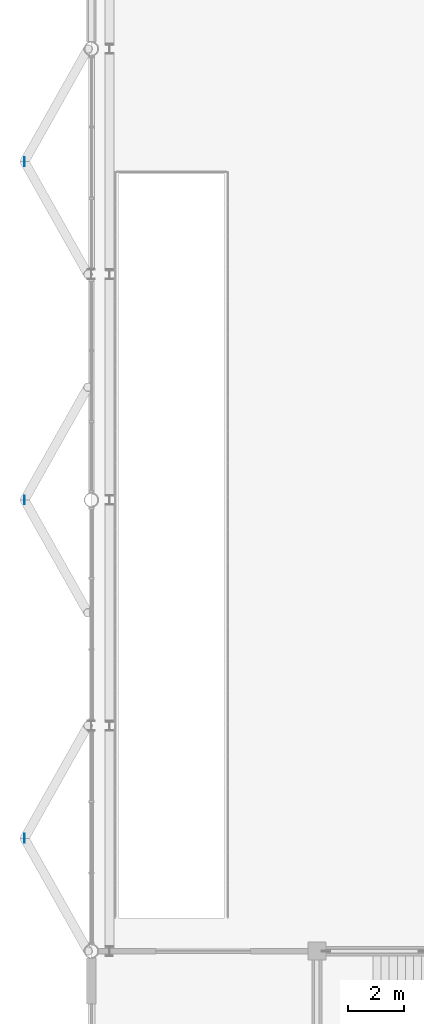
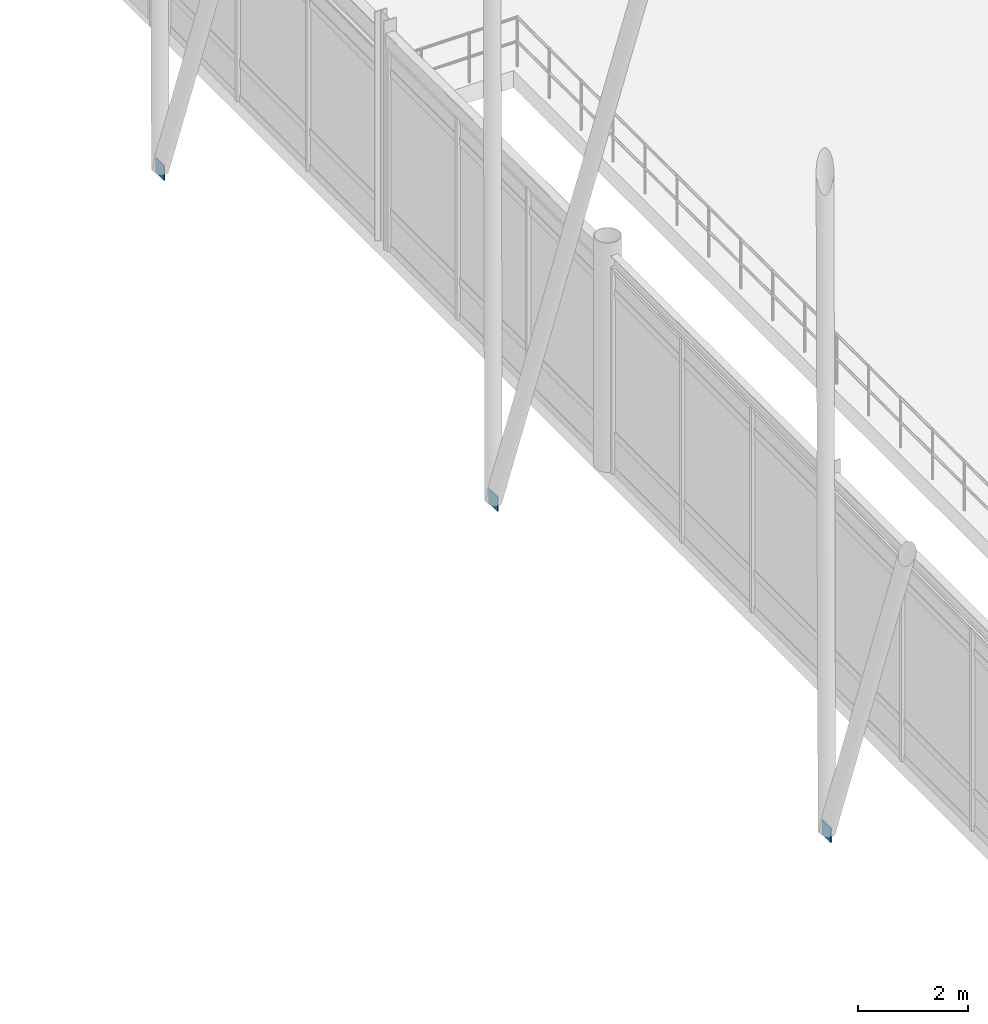
# One storey, part 79 of 99: 3 discrete accessories.
"""IFC4 building model written with IfcOpenShell, lengths in metres."""

from ifc_helpers import new_model, si_unit, direction, frame, origin, origin_2d, place, context, subcontext, project, spatial, rectangle, extrude, material, type_object, element, save


model = new_model("IFC4")

# Units and contexts
model_context = context("Model", 3, precision=1e-05, world=origin(), true_north=direction((0.0, 1.0)))
body_context = subcontext(model_context, "Body", "Model", "MODEL_VIEW")
ifc_project = project(units=[si_unit("LENGTHUNIT", "METRE"), si_unit("AREAUNIT", "SQUARE_METRE"), si_unit("VOLUMEUNIT", "CUBIC_METRE"), si_unit("PLANEANGLEUNIT", "RADIAN"), si_unit("MASSUNIT", "GRAM", prefix="KILO")], contexts=[model_context])

# Site, building, storey
site_placement = place(None, origin())
site = spatial("IfcSite", under=ifc_project, at=site_placement, CompositionType="ELEMENT")
building_placement = place(site_placement, origin())
building = spatial("IfcBuilding", under=site, at=building_placement, Name="Vaudrelin Polytechnic", CompositionType="ELEMENT")
storey_placement = place(building_placement, origin())
storey = spatial("IfcBuildingStorey", under=building, at=storey_placement, Name="L00", CompositionType="ELEMENT", Elevation=0.0)

# Discrete accessories
ifc_material = material(Name="Steel CSA G40.21 350WT", Category="steel")
discrete_accessory_type = type_object("IfcDiscreteAccessoryType", Name="ACC-CPL-01", PredefinedType="BRACKET", material=ifc_material)
for number, where, z_axis, x_axis, name in (
    (1, (-2.39990234375, 52.64990234375, -0.10986328125), (0.0, 0.0, 1.0), (1.0, 0.0, 0.0), "Brace end connection plate CPL-038"),
    (2, (-2.39990234375, 64.800048828125, -0.10986328125), (0.0, 0.0, 1.0), (1.0, 0.0, 0.0), "Brace end connection plate CPL-041"),
    (3, (-2.39990234375, 76.949951171875, -0.10986328125), (0.0, 0.0, 1.0), (1.0, 0.0, 0.0), "Brace end connection plate CPL-044"),
):
    element("IfcDiscreteAccessory", number, at=place(storey_placement, frame(where, z_axis=z_axis, x_axis=x_axis)), inside=storey, type_object=discrete_accessory_type, Name=name, PredefinedType="BRACKET", context=body_context, shape_type="SweptSolid", body=[
        extrude(rectangle(XDim=0.02392578125, YDim=0.320068359375, at=origin_2d()), origin(), (0.0, 0.0, 1.0), 0.320068359375),
    ])

save(model, "model.ifc")
